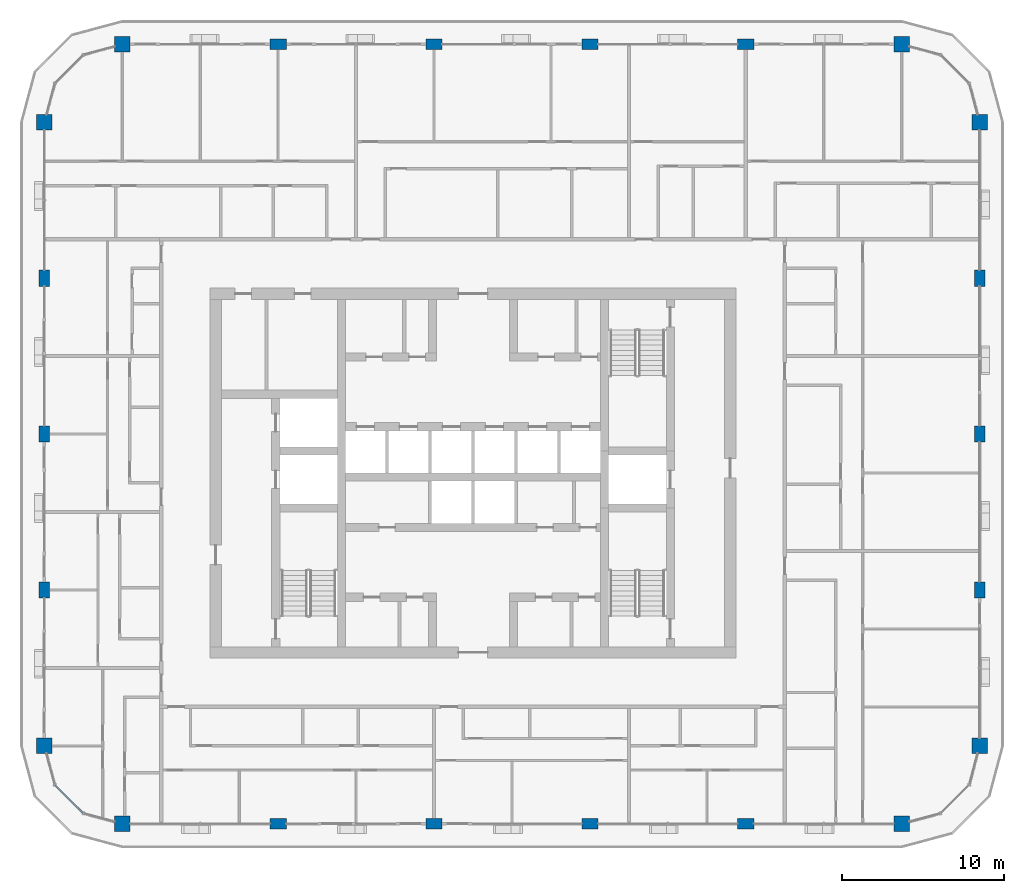
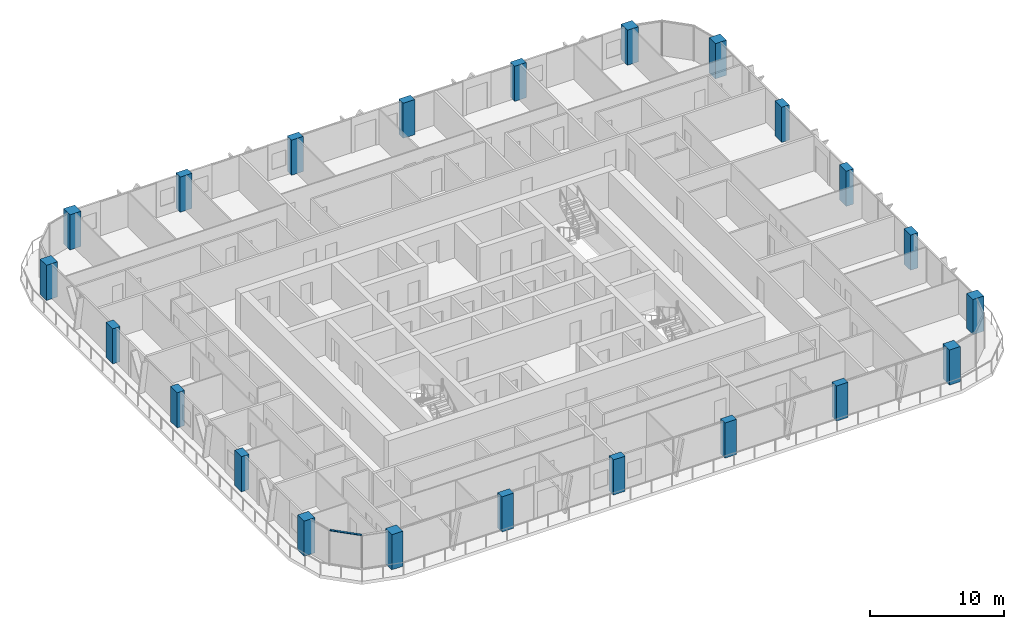
# One storey, part 1 of 23: 22 columns, 1 member, 1 element without a shape of its own.
"""IFC4 building model written with IfcOpenShell, lengths in metres."""

from ifc_helpers import new_model, si_unit, direction, frame, origin, origin_2d, place, context, subcontext, project, spatial, rectangle, extrude, material, layer, layer_set, material_profile, profile_set, type_object, element, aggregate, save


model = new_model("IFC4")

# Units and contexts
model_context = context("Model", 3, precision=1e-05, world=origin(), true_north=direction((0.0, 1.0)))
body_context = subcontext(model_context, "Body", "Model", "MODEL_VIEW")
ifc_project = project(units=[si_unit("LENGTHUNIT", "METRE"), si_unit("AREAUNIT", "SQUARE_METRE"), si_unit("VOLUMEUNIT", "CUBIC_METRE"), si_unit("PLANEANGLEUNIT", "RADIAN"), si_unit("MASSUNIT", "GRAM", prefix="KILO")], contexts=[model_context])

# Site, building, storey
site_placement = place(None, origin())
site = spatial("IfcSite", under=ifc_project, at=site_placement, CompositionType="ELEMENT")
building_placement = place(site_placement, origin())
building = spatial("IfcBuilding", under=site, at=building_placement, Name="Madar Terraces", CompositionType="ELEMENT")
storey_placement = place(building_placement, frame((0.0, 0.0, 215.800048828125)))
storey = spatial("IfcBuildingStorey", under=building, at=storey_placement, Name="L56", CompositionType="ELEMENT", Elevation=215.800048828125)

# Columns
ifc_material_1 = material(Name="Concrete C60/75", Category="concrete")
ifc_material_profile_1 = material_profile(ifc_material_1, rectangle(XDim=1.0, YDim=0.64990234375, at=origin_2d()), Name="CC4 RC 1000x650")
ifc_profile_set_1 = profile_set([ifc_material_profile_1], Name="Concrete C60/75")
column_type_1 = type_object("IfcColumnType", Name="CC4 RC 1000x650", PredefinedType="COLUMN", material=ifc_profile_set_1)
for number, where, z_axis, x_axis, name in (
    (1, (19.199951171875, 4.800048828125, 0.0), (0.0, 0.0, 1.0), (1.0, 0.0, 0.0), "Perimeter column S2"),
    (2, (28.800048828125, 4.800048828125, 0.0), (0.0, 0.0, 1.0), (1.0, 0.0, 0.0), "Perimeter column S3"),
    (3, (38.39990234375, 4.800048828125, 0.0), (0.0, 0.0, 1.0), (1.0, 0.0, 0.0), "Perimeter column S4"),
    (4, (48.0, 4.800048828125, 0.0), (0.0, 0.0, 1.0), (1.0, 0.0, 0.0), "Perimeter column S5"),
    (5, (62.39990234375, 19.199951171875, 0.0), (0.0, 0.0, 1.0), (0.0, 1.0, 0.0), "Perimeter column E2"),
    (6, (62.39990234375, 28.800048828125, 0.0), (0.0, 0.0, 1.0), (0.0, 1.0, 0.0), "Perimeter column E3"),
    (7, (62.39990234375, 38.39990234375, 0.0), (0.0, 0.0, 1.0), (0.0, 1.0, 0.0), "Perimeter column E4"),
    (8, (48.0, 52.800048828125, 0.0), (0.0, 0.0, 1.0), (1.0, 0.0, 0.0), "Perimeter column N2"),
    (9, (38.39990234375, 52.800048828125, 0.0), (0.0, 0.0, 1.0), (1.0, 0.0, 0.0), "Perimeter column N3"),
    (10, (28.800048828125, 52.800048828125, 0.0), (0.0, 0.0, 1.0), (1.0, 0.0, 0.0), "Perimeter column N4"),
    (11, (19.199951171875, 52.800048828125, 0.0), (0.0, 0.0, 1.0), (1.0, 0.0, 0.0), "Perimeter column N5"),
    (12, (4.800048828125, 38.39990234375, 0.0), (0.0, 0.0, 1.0), (0.0, 1.0, 0.0), "Perimeter column W2"),
    (13, (4.800048828125, 28.800048828125, 0.0), (0.0, 0.0, 1.0), (0.0, 1.0, 0.0), "Perimeter column W3"),
    (14, (4.800048828125, 19.199951171875, 0.0), (0.0, 0.0, 1.0), (0.0, 1.0, 0.0), "Perimeter column W4"),
):
    element("IfcColumn", number, at=place(storey_placement, frame(where, z_axis=z_axis, x_axis=x_axis)), inside=storey, type_object=column_type_1, Name=name, PredefinedType="COLUMN", context=body_context, shape_type="SweptSolid", body=[
        extrude(rectangle(XDim=1.0, YDim=0.64990234375, at=origin_2d()), origin(), (0.0, 0.0, 1.0), 3.199951171875),
    ])
ifc_material_2 = material(Name="Concrete C60/75", Category="concrete")
ifc_material_profile_2 = material_profile(ifc_material_2, rectangle(XDim=0.949951171875, YDim=0.949951171875, at=origin_2d()), Name="KC4 RC 950x950")
ifc_profile_set_2 = profile_set([ifc_material_profile_2], Name="Concrete C60/75")
column_type_2 = type_object("IfcColumnType", Name="KC4 RC 950x950", PredefinedType="COLUMN", material=ifc_profile_set_2)
for number, where, z_axis, x_axis, name in (
    (15, (9.60009765625, 4.800048828125, 0.0), (0.0, 0.0, 1.0), (1.0, 0.0, 0.0), "Perimeter column S1"),
    (16, (57.60009765625, 4.800048828125, 0.0), (0.0, 0.0, 1.0), (1.0, 0.0, 0.0), "Perimeter column S6"),
    (17, (62.39990234375, 9.60009765625, 0.0), (0.0, 0.0, 1.0), (1.0, 0.0, 0.0), "Perimeter column E1"),
    (18, (62.39990234375, 48.0, 0.0), (0.0, 0.0, 1.0), (1.0, 0.0, 0.0), "Perimeter column E5"),
    (19, (57.60009765625, 52.800048828125, 0.0), (0.0, 0.0, 1.0), (1.0, 0.0, 0.0), "Perimeter column N1"),
    (20, (9.60009765625, 52.800048828125, 0.0), (0.0, 0.0, 1.0), (1.0, 0.0, 0.0), "Perimeter column N6"),
    (21, (4.800048828125, 48.0, 0.0), (0.0, 0.0, 1.0), (1.0, 0.0, 0.0), "Perimeter column W1"),
    (22, (4.800048828125, 9.60009765625, 0.0), (0.0, 0.0, 1.0), (1.0, 0.0, 0.0), "Perimeter column W5"),
):
    element("IfcColumn", number, at=place(storey_placement, frame(where, z_axis=z_axis, x_axis=x_axis)), inside=storey, type_object=column_type_2, Name=name, PredefinedType="COLUMN", context=body_context, shape_type="SweptSolid", body=[
        extrude(rectangle(XDim=0.949951171875, YDim=0.949951171875, at=origin_2d()), origin(), (0.0, 0.0, 1.0), 3.199951171875),
    ])

# Curtain wall, member
ifc_material_3 = material(Name="Glass, ceramic frit dark grey, with black aluminium frame", Category="aluminium")
ifc_layer = layer(ifc_material_3, 0.199951171875)
ifc_layer_set = layer_set([ifc_layer], Name="Facade curtain wall, fritted glass")
curtain_wall_type = type_object("IfcCurtainWallType", Name="Facade curtain wall, fritted glass", PredefinedType="NOTDEFINED", material=ifc_layer_set)
curtain_wall_placement = place(storey_placement, origin())
curtain_wall = element("IfcCurtainWall", 23, at=curtain_wall_placement, inside=storey, type_object=curtain_wall_type, Name="Outer skin curtain wall south-west corner", PredefinedType="NOTDEFINED")
ifc_material_4 = material(Name="Aluminium, black anodised", Category="aluminium")
ifc_material_profile_3 = material_profile(ifc_material_4, rectangle(XDim=0.1201171875, YDim=0.06005859375, at=origin_2d()), Name="Facade transom 60x120")
ifc_profile_set_3 = profile_set([ifc_material_profile_3], Name="Aluminium, black anodised")
member_type = type_object("IfcMemberType", Name="Facade transom 60x120", PredefinedType="USERDEFINED", material=ifc_profile_set_3)
member_placement = place(storey_placement, frame((5.46435546875, 7.1787109375, 3.169921875), z_axis=(0.707106781187, -0.707106781187, 0.0), x_axis=(0.707106781187, 0.707106781187, 0.0)))
member = element("IfcMember", 24, at=member_placement, type_object=member_type, Name="Transom 2", ObjectType="TRANSOM", PredefinedType="USERDEFINED", context=body_context, shape_type="SweptSolid", body=[
    extrude(rectangle(XDim=0.1201171875, YDim=0.06005859375, at=origin_2d()), origin(), (0.0, 0.0, 1.0), 2.424560546875),
])
aggregate(curtain_wall, [member])

save(model, "model.ifc")
